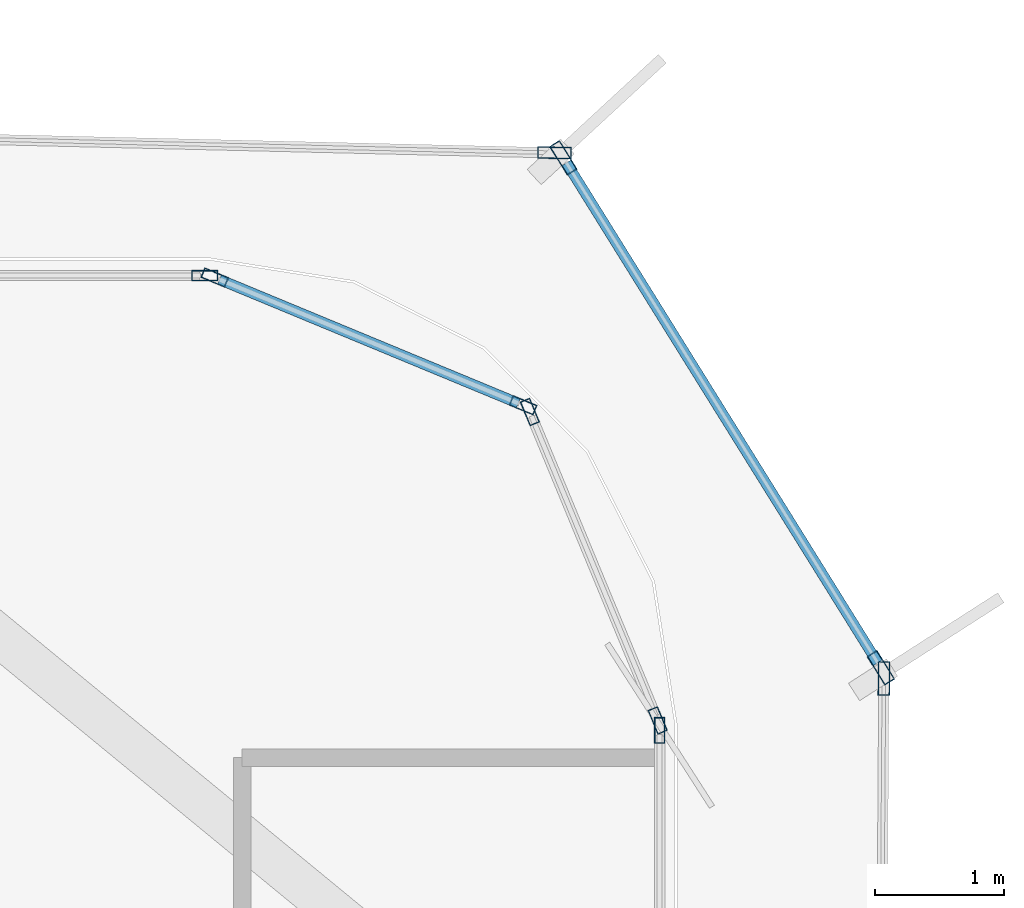
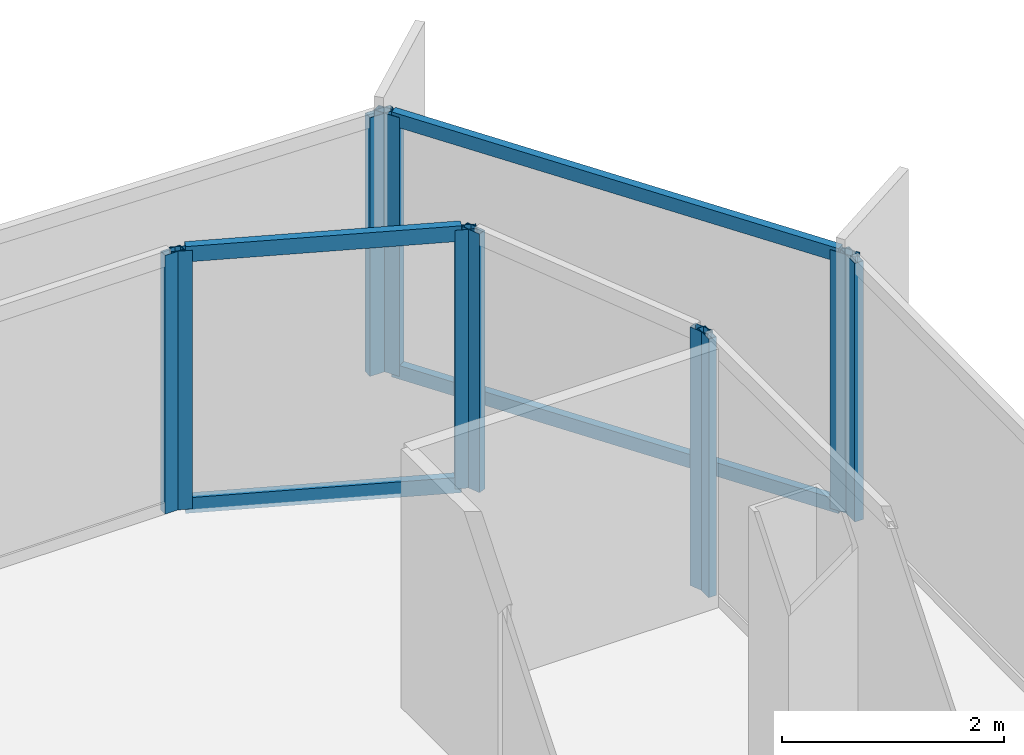
# One storey, part 8 of 16: 14 members, 7 elements without a shape of their own.
"""IFC4 building model written with IfcOpenShell, lengths in metres."""

from ifc_helpers import new_model, si_unit, direction, frame, origin, origin_2d, place, context, subcontext, project, spatial, hollow_rectangle, extrude, source, transform, mapped, material, layer, layer_set, material_profile, profile_set, type_object, element, aggregate, save


model = new_model("IFC4")

# Units and contexts
model_context = context("Model", 3, precision=1e-05, world=origin(), true_north=direction((0.0, 1.0)))
body_context = subcontext(model_context, "Body", "Model", "MODEL_VIEW")
ifc_project = project(units=[si_unit("LENGTHUNIT", "METRE"), si_unit("AREAUNIT", "SQUARE_METRE"), si_unit("VOLUMEUNIT", "CUBIC_METRE"), si_unit("PLANEANGLEUNIT", "RADIAN"), si_unit("MASSUNIT", "GRAM", prefix="KILO")], contexts=[model_context])

# Site, building, storey
site_placement = place(None, origin())
site = spatial("IfcSite", under=ifc_project, at=site_placement, CompositionType="ELEMENT")
building_placement = place(site_placement, origin())
building = spatial("IfcBuilding", under=site, at=building_placement, Name="Kolveth Station Tower", CompositionType="ELEMENT")
storey_placement = place(building_placement, frame((0.0, 0.0, 212.39990234375)))
storey = spatial("IfcBuildingStorey", under=building, at=storey_placement, Name="L60", CompositionType="ELEMENT", Elevation=212.39990234375)

# Curtain wall, member
ifc_material_1 = material(Name="Aluminium 6063-T6 and low-E dark glass", Category="aluminium")
ifc_layer_1 = layer(ifc_material_1, 0.18994140625)
ifc_layer_set_1 = layer_set([ifc_layer_1], Name="Aluminium 6063-T6 and low-E dark glass")
curtain_wall_type_1 = type_object("IfcCurtainWallType", Name="CurtainWall_CW-Z2", PredefinedType="NOTDEFINED", material=ifc_layer_set_1)
curtain_wall_1_placement = place(storey_placement, origin())
curtain_wall_1 = element("IfcCurtainWall", 1, at=curtain_wall_1_placement, inside=storey, type_object=curtain_wall_type_1, Name="L60 Inner Thermal Curtain Wall 3", PredefinedType="NOTDEFINED")
ifc_material_2 = material(Name="Black anodized aluminium 6063-T6", Category="aluminium")
ifc_material_profile_1 = material_profile(ifc_material_2, hollow_rectangle(XDim=0.080078125, YDim=0.199951171875, WallThickness=0.0048828125, at=origin_2d()), Name="ALU-80x200x5")
ifc_profile_set_1 = profile_set([ifc_material_profile_1], Name="Black anodized aluminium 6063-T6")
member_type_1 = type_object("IfcMemberType", Name="Mullion_ML2", PredefinedType="MULLION", material=ifc_profile_set_1)
shared_shape_1 = source(origin(), body_context, "Body", "SweptSolid", [
    extrude(hollow_rectangle(XDim=0.080078125, YDim=0.199951171875, WallThickness=0.0048828125, at=origin_2d()), origin(), (0.0, 0.0, 1.0), 2.840087890625),
])
member_1_placement = place(storey_placement, frame((41.679931640625, 31.659912109375, 0.0), z_axis=(0.0, 0.0, 1.0), x_axis=(-1.0, 0.0, 0.0)))
member_1 = element("IfcMember", 2, at=member_1_placement, type_object=member_type_1, Name="CW-Z2 mullion 2", PredefinedType="MULLION", context=body_context, shape_type="MappedRepresentation", body=[
    mapped(shared_shape_1, transform((0.0, 0.0, 0.0), x_axis=(1.0, 0.0, 0.0), y_axis=(0.0, 1.0, 0.0), z_axis=(0.0, 0.0, 1.0), scale=1.0)),
])
aggregate(curtain_wall_1, [member_1])

# Curtain wall, members
curtain_wall_2_placement = place(storey_placement, origin())
curtain_wall_2 = element("IfcCurtainWall", 3, at=curtain_wall_2_placement, inside=storey, type_object=curtain_wall_type_1, Name="L60 Inner Thermal Curtain Wall 4", PredefinedType="NOTDEFINED")
member_2_placement = place(storey_placement, frame((41.664794921875, 31.737060546875, 0.0), z_axis=(0.0, 0.0, 1.0), x_axis=(-0.923873600544, -0.382697753087, 0.0)))
member_2 = element("IfcMember", 4, at=member_2_placement, type_object=member_type_1, Name="CW-Z2 mullion 1", PredefinedType="MULLION", context=body_context, shape_type="MappedRepresentation", body=[
    mapped(shared_shape_1, transform((0.0, 0.0, 0.0), x_axis=(1.0, 0.0, 0.0), y_axis=(0.0, 1.0, 0.0), z_axis=(0.0, 0.0, 1.0), scale=1.0)),
])
member_3_placement = place(storey_placement, frame((40.676025390625, 34.123779296875, 0.0), z_axis=(0.0, 0.0, 1.0), x_axis=(-0.923873600544, -0.382697753087, 0.0)))
member_3 = element("IfcMember", 5, at=member_3_placement, type_object=member_type_1, Name="CW-Z2 mullion 2", PredefinedType="MULLION", context=body_context, shape_type="MappedRepresentation", body=[
    mapped(shared_shape_1, transform((0.0, 0.0, 0.0), x_axis=(1.0, 0.0, 0.0), y_axis=(0.0, 1.0, 0.0), z_axis=(0.0, 0.0, 1.0), scale=1.0)),
])
aggregate(curtain_wall_2, [member_2, member_3])

curtain_wall_3_placement = place(storey_placement, origin())
curtain_wall_3 = element("IfcCurtainWall", 6, at=curtain_wall_3_placement, inside=storey, type_object=curtain_wall_type_1, Name="L60 Inner Thermal Curtain Wall 5", PredefinedType="NOTDEFINED")
member_4_placement = place(storey_placement, frame((40.623779296875, 34.176025390625, 0.0), z_axis=(0.0, 0.0, 1.0), x_axis=(-0.382697753087, -0.923873600544, 0.0)))
member_4 = element("IfcMember", 7, at=member_4_placement, type_object=member_type_1, Name="CW-Z2 mullion 1", PredefinedType="MULLION", context=body_context, shape_type="MappedRepresentation", body=[
    mapped(shared_shape_1, transform((0.0, 0.0, 0.0), x_axis=(1.0, 0.0, 0.0), y_axis=(0.0, 1.0, 0.0), z_axis=(0.0, 0.0, 1.0), scale=1.0)),
])
member_5_placement = place(storey_placement, frame((38.237060546875, 35.164794921875, 0.0), z_axis=(0.0, 0.0, 1.0), x_axis=(-0.382697753087, -0.923873600544, 0.0)))
member_5 = element("IfcMember", 8, at=member_5_placement, type_object=member_type_1, Name="CW-Z2 mullion 2", PredefinedType="MULLION", context=body_context, shape_type="MappedRepresentation", body=[
    mapped(shared_shape_1, transform((0.0, 0.0, 0.0), x_axis=(1.0, 0.0, 0.0), y_axis=(0.0, 1.0, 0.0), z_axis=(0.0, 0.0, 1.0), scale=1.0)),
])

# Curtain wall, member
curtain_wall_4_placement = place(storey_placement, origin())
curtain_wall_4 = element("IfcCurtainWall", 9, at=curtain_wall_4_placement, inside=storey, type_object=curtain_wall_type_1, Name="L60 Inner Thermal Curtain Wall 6", PredefinedType="NOTDEFINED")
member_6_placement = place(storey_placement, frame((38.159912109375, 35.179931640625, 0.0), z_axis=(0.0, 0.0, 1.0), x_axis=(0.0, -1.0, 0.0)))
member_6 = element("IfcMember", 10, at=member_6_placement, type_object=member_type_1, Name="CW-Z2 mullion 1", PredefinedType="MULLION", context=body_context, shape_type="MappedRepresentation", body=[
    mapped(shared_shape_1, transform((0.0, 0.0, 0.0), x_axis=(1.0, 0.0, 0.0), y_axis=(0.0, 1.0, 0.0), z_axis=(0.0, 0.0, 1.0), scale=1.0)),
])
aggregate(curtain_wall_4, [member_6])

ifc_material_3 = material(Name="Black anodized aluminium 6063-T6 and dark solar glass", Category="aluminium")
ifc_layer_2 = layer(ifc_material_3, 0.159912109375)
ifc_layer_set_2 = layer_set([ifc_layer_2], Name="Black anodized aluminium 6063-T6 and dark solar glass")
curtain_wall_type_2 = type_object("IfcCurtainWallType", Name="OUTER SKIN CW-OS", PredefinedType="NOTDEFINED", material=ifc_layer_set_2)
curtain_wall_5_placement = place(storey_placement, origin())
curtain_wall_5 = element("IfcCurtainWall", 11, at=curtain_wall_5_placement, inside=storey, type_object=curtain_wall_type_2, Name="L60 Outer Ventilated Skin Curtain Wall 2", PredefinedType="NOTDEFINED")
ifc_material_profile_2 = material_profile(ifc_material_2, hollow_rectangle(XDim=0.090087890625, YDim=0.260009765625, WallThickness=0.0048828125, at=origin_2d()), Name="ALU-90x260x5")
ifc_profile_set_2 = profile_set([ifc_material_profile_2], Name="Black anodized aluminium 6063-T6")
member_type_2 = type_object("IfcMemberType", Name="FIN MULLION ML-OS", PredefinedType="MULLION", material=ifc_profile_set_2)
shared_shape_2 = source(origin(), body_context, "Body", "SweptSolid", [
    extrude(hollow_rectangle(XDim=0.090087890625, YDim=0.260009765625, WallThickness=0.0048828125, at=origin_2d()), origin(), (0.0, 0.0, 1.0), 2.840087890625),
])
member_7_placement = place(storey_placement, frame((43.415771484375, 32.06103515625, 0.0), z_axis=(0.0, 0.0, 1.0), x_axis=(-0.999977852896, 0.006655352613, 0.0)))
member_7 = element("IfcMember", 12, at=member_7_placement, type_object=member_type_2, Name="CW-OS mullion 2", PredefinedType="MULLION", context=body_context, shape_type="MappedRepresentation", body=[
    mapped(shared_shape_2, transform((0.0, 0.0, 0.0), x_axis=(1.0, 0.0, 0.0), y_axis=(0.0, 1.0, 0.0), z_axis=(0.0, 0.0, 1.0), scale=1.0)),
])
aggregate(curtain_wall_5, [member_7])

# Curtain wall, members
curtain_wall_6_placement = place(storey_placement, origin())
curtain_wall_6 = element("IfcCurtainWall", 13, at=curtain_wall_6_placement, inside=storey, type_object=curtain_wall_type_2, Name="L60 Outer Ventilated Skin Curtain Wall 3", PredefinedType="NOTDEFINED")
member_8_placement = place(storey_placement, frame((43.392333984375, 32.144287109375, 0.0), z_axis=(0.0, 0.0, 1.0), x_axis=(-0.848887440335, -0.528573659618, 0.0)))
member_8 = element("IfcMember", 14, at=member_8_placement, type_object=member_type_2, Name="CW-OS mullion 1", PredefinedType="MULLION", context=body_context, shape_type="MappedRepresentation", body=[
    mapped(shared_shape_2, transform((0.0, 0.0, 0.0), x_axis=(1.0, 0.0, 0.0), y_axis=(0.0, 1.0, 0.0), z_axis=(0.0, 0.0, 1.0), scale=1.0)),
])
member_9_placement = place(storey_placement, frame((40.93505859375, 36.090576171875, 0.0), z_axis=(0.0, 0.0, 1.0), x_axis=(-0.848887440335, -0.528573659618, 0.0)))
member_9 = element("IfcMember", 15, at=member_9_placement, type_object=member_type_2, Name="CW-OS mullion 2", PredefinedType="MULLION", context=body_context, shape_type="MappedRepresentation", body=[
    mapped(shared_shape_2, transform((0.0, 0.0, 0.0), x_axis=(1.0, 0.0, 0.0), y_axis=(0.0, 1.0, 0.0), z_axis=(0.0, 0.0, 1.0), scale=1.0)),
])

# Curtain wall, member
curtain_wall_7_placement = place(storey_placement, origin())
curtain_wall_7 = element("IfcCurtainWall", 16, at=curtain_wall_7_placement, inside=storey, type_object=curtain_wall_type_2, Name="L60 Outer Ventilated Skin Curtain Wall 4", PredefinedType="NOTDEFINED")
member_10_placement = place(storey_placement, frame((40.8662109375, 36.1298828125, 0.0), z_axis=(0.0, 0.0, 1.0), x_axis=(-0.023666078914, -0.999719919132, 0.0)))
member_10 = element("IfcMember", 17, at=member_10_placement, type_object=member_type_2, Name="CW-OS mullion 1", PredefinedType="MULLION", context=body_context, shape_type="MappedRepresentation", body=[
    mapped(shared_shape_2, transform((0.0, 0.0, 0.0), x_axis=(1.0, 0.0, 0.0), y_axis=(0.0, 1.0, 0.0), z_axis=(0.0, 0.0, 1.0), scale=1.0)),
])
aggregate(curtain_wall_7, [member_10])

# Member
ifc_material_profile_3 = material_profile(ifc_material_2, hollow_rectangle(XDim=0.080078125, YDim=0.169921875, WallThickness=0.0048828125, at=origin_2d()), Name="ALU-80x170x5")
ifc_profile_set_3 = profile_set([ifc_material_profile_3], Name="Black anodized aluminium 6063-T6")
member_type_3 = type_object("IfcMemberType", Name="Transom_TR2", PredefinedType="USERDEFINED", material=ifc_profile_set_3)
shared_shape_3 = source(origin(), body_context, "Body", "SweptSolid", [
    extrude(hollow_rectangle(XDim=0.080078125, YDim=0.169921875, WallThickness=0.0048828125, at=origin_2d()), origin(), (0.0, 0.0, 1.0), 2.50341796875),
])
member_11_placement = place(storey_placement, frame((40.586669921875, 34.19140625, 0.0400390625), z_axis=(-0.923874190494, 0.382696328882, 0.0), x_axis=(-0.382696328882, -0.923874190494, 0.0)))
member_11 = element("IfcMember", 18, at=member_11_placement, type_object=member_type_3, Name="CW-Z2 transom 1.1", ObjectType="TRANSOM", PredefinedType="USERDEFINED", context=body_context, shape_type="MappedRepresentation", body=[
    mapped(shared_shape_3, transform((0.0, 0.0, 0.0), x_axis=(1.0, 0.0, 0.0), y_axis=(0.0, 1.0, 0.0), z_axis=(0.0, 0.0, 1.0), scale=1.0)),
])

member_12_placement = place(storey_placement, frame((40.586669921875, 34.19140625, 2.800048828125), z_axis=(-0.923874190494, 0.382696328882, 0.0), x_axis=(-0.382696328882, -0.923874190494, 0.0)))
member_12 = element("IfcMember", 19, at=member_12_placement, type_object=member_type_3, Name="CW-Z2 transom 1.2", ObjectType="TRANSOM", PredefinedType="USERDEFINED", context=body_context, shape_type="MappedRepresentation", body=[
    mapped(shared_shape_3, transform((0.0, 0.0, 0.0), x_axis=(1.0, 0.0, 0.0), y_axis=(0.0, 1.0, 0.0), z_axis=(0.0, 0.0, 1.0), scale=1.0)),
])

aggregate(curtain_wall_3, [member_4, member_5, member_11, member_12])

ifc_material_profile_4 = material_profile(ifc_material_2, hollow_rectangle(XDim=0.080078125, YDim=0.14990234375, WallThickness=0.0048828125, at=origin_2d()), Name="ALU-80x150x5")
ifc_profile_set_4 = profile_set([ifc_material_profile_4], Name="Black anodized aluminium 6063-T6")
member_type_4 = type_object("IfcMemberType", Name="Transom_TR-OS", PredefinedType="USERDEFINED", material=ifc_profile_set_4)
shared_shape_4 = source(origin(), body_context, "Body", "SweptSolid", [
    extrude(hollow_rectangle(XDim=0.080078125, YDim=0.14990234375, WallThickness=0.0048828125, at=origin_2d()), origin(), (0.0, 0.0, 1.0), 4.558837890625),
])
member_13_placement = place(storey_placement, frame((43.368408203125, 32.182373046875, 0.0400390625), z_axis=(-0.528578112889, 0.848884667417, 0.0), x_axis=(-0.848884667417, -0.528578112889, 0.0)))
member_13 = element("IfcMember", 20, at=member_13_placement, type_object=member_type_4, Name="CW-OS transom 1.1", ObjectType="TRANSOM", PredefinedType="USERDEFINED", context=body_context, shape_type="MappedRepresentation", body=[
    mapped(shared_shape_4, transform((0.0, 0.0, 0.0), x_axis=(1.0, 0.0, 0.0), y_axis=(0.0, 1.0, 0.0), z_axis=(0.0, 0.0, 1.0), scale=1.0)),
])

member_14_placement = place(storey_placement, frame((43.368408203125, 32.182373046875, 2.800048828125), z_axis=(-0.528578112889, 0.848884667417, 0.0), x_axis=(-0.848884667417, -0.528578112889, 0.0)))
member_14 = element("IfcMember", 21, at=member_14_placement, type_object=member_type_4, Name="CW-OS transom 1.2", ObjectType="TRANSOM", PredefinedType="USERDEFINED", context=body_context, shape_type="MappedRepresentation", body=[
    mapped(shared_shape_4, transform((0.0, 0.0, 0.0), x_axis=(1.0, 0.0, 0.0), y_axis=(0.0, 1.0, 0.0), z_axis=(0.0, 0.0, 1.0), scale=1.0)),
])

aggregate(curtain_wall_6, [member_8, member_9, member_13, member_14])

save(model, "model.ifc")
